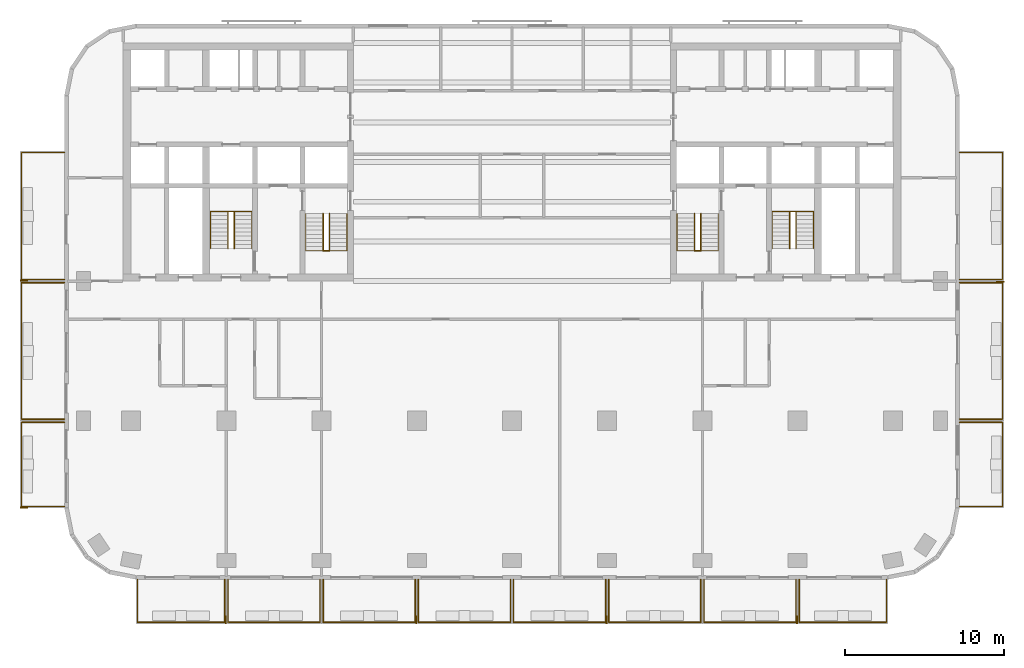
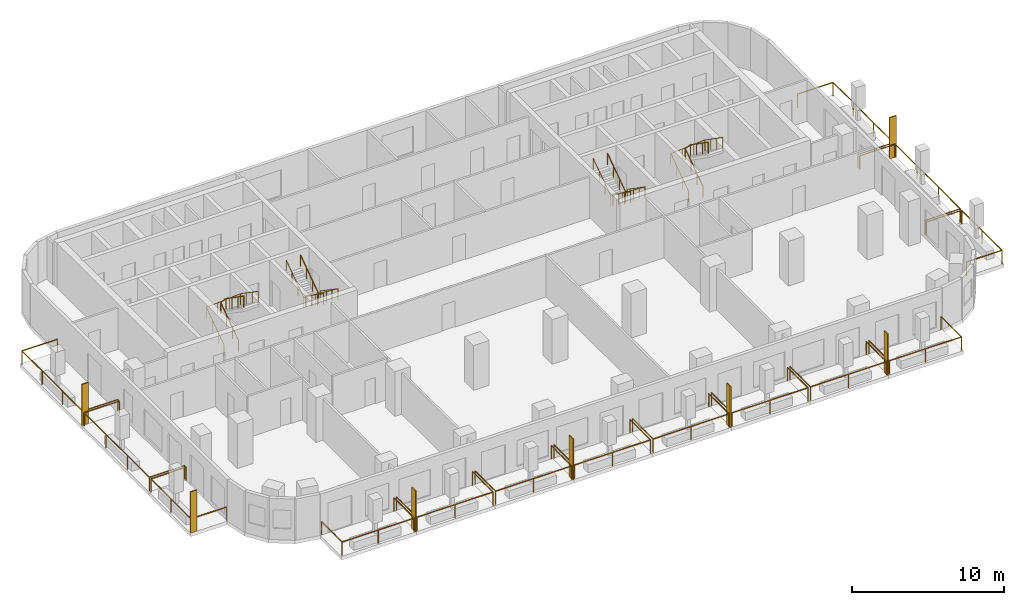
# One storey, part 9 of 11: 22 railings, 7 shading devices.
"""IFC4 building model written with IfcOpenShell, lengths in metres."""

from ifc_helpers import new_model, si_unit, direction, frame, origin, origin_2d, place, context, subcontext, project, spatial, rectangle, circle, extrude, material, layer, layer_set, type_object, element, save


model = new_model("IFC4")

# Units and contexts
model_context = context("Model", 3, precision=1e-05, world=origin(), true_north=direction((0.0, 1.0)))
body_context = subcontext(model_context, "Body", "Model", "MODEL_VIEW")
ifc_project = project(units=[si_unit("LENGTHUNIT", "METRE"), si_unit("AREAUNIT", "SQUARE_METRE"), si_unit("VOLUMEUNIT", "CUBIC_METRE"), si_unit("PLANEANGLEUNIT", "RADIAN"), si_unit("MASSUNIT", "GRAM", prefix="KILO")], contexts=[model_context])

# Site, building, storey
site_placement = place(None, origin())
site = spatial("IfcSite", under=ifc_project, at=site_placement, CompositionType="ELEMENT")
building_placement = place(site_placement, origin())
building = spatial("IfcBuilding", under=site, at=building_placement, Name="Torana Hotel and Residences", CompositionType="ELEMENT")
storey_placement = place(building_placement, frame((0.0, 0.0, 170.39990234375)))
storey = spatial("IfcBuildingStorey", under=building, at=storey_placement, Name="L44", CompositionType="ELEMENT", Elevation=170.39990234375)

# Shading devices
ifc_material_1 = material(Name="Black powder coated aluminium", Category="aluminium")
ifc_layer = layer(ifc_material_1, 0.080078125)
ifc_layer_set = layer_set([ifc_layer], Name="FN1 VERTICAL FIN 500x80")
shading_device_type = type_object("IfcShadingDeviceType", Name="FN1 VERTICAL FIN 500x80", PredefinedType="USERDEFINED", material=ifc_layer_set)
for number, where, z_axis, x_axis, name in (
    (1, (-18.0400390625, -36.35009765625, 0.0), (0.0, 0.0, 1.0), (-1.0, 0.0, 0.0), "Fin 01"),
    (2, (-6.0400390625, -36.35009765625, 0.0), (0.0, 0.0, 1.0), (-1.0, 0.0, 0.0), "Fin 03"),
    (3, (5.9599609375, -36.35009765625, 0.0), (0.0, 0.0, 1.0), (-1.0, 0.0, 0.0), "Fin 05"),
    (4, (17.9599609375, -36.35009765625, 0.0), (0.0, 0.0, 1.0), (-1.0, 0.0, 0.0), "Fin 07"),
    (5, (-30.75, -29.260009765625, 0.0), (0.0, 0.0, 1.0), (0.0, 1.0, 0.0), "Fin 09"),
    (6, (-30.75, -14.9599609375, 0.0), (0.0, 0.0, 1.0), (0.0, 1.0, 0.0), "Fin 11"),
    (7, (30.75, -15.0400390625, 0.0), (0.0, 0.0, 1.0), (0.0, -1.0, 0.0), "Fin 13"),
):
    element("IfcShadingDevice", number, at=place(storey_placement, frame(where, z_axis=z_axis, x_axis=x_axis)), inside=storey, type_object=shading_device_type, Name=name, ObjectType="FIN", PredefinedType="USERDEFINED", context=body_context, shape_type="SweptSolid", body=[
        extrude(rectangle(XDim=0.080078125, YDim=0.5, at=origin_2d()), origin(), (0.0, 0.0, 1.0), 3.320068359375),
    ])

# Railings
ifc_material_2 = material(Name="Laminated glass balustrade with black handrail", Category="glass")
railing_type_1 = type_object("IfcRailingType", Name="GR1 BALCONY GUARD 1100 GLASS", PredefinedType="GUARDRAIL", material=ifc_material_2)
railing_1_placement = place(storey_placement, frame((-18.10009765625, -33.800048828125, 0.0)))
element("IfcRailing", 8, at=railing_1_placement, inside=storey, type_object=railing_type_1, Name="Balcony guard 01", PredefinedType="GUARDRAIL", context=body_context, shape_type="SweptSolid", body=[
    extrude(circle(Radius=0.02392578125, at=origin_2d()), frame((0.0, 0.0, 1.076171875), z_axis=(0.0, -1.0, 0.0), x_axis=(1.0, 0.0, 0.0)), (0.0, 0.0, 1.0), 2.699951171875),
    extrude(circle(Radius=0.02392578125, at=origin_2d()), frame((0.0, -2.699951171875, 1.076171875), z_axis=(-1.0, 0.0, 0.0), x_axis=(0.0, -1.0, 0.0)), (0.0, 0.0, 1.0), 5.5),
    extrude(circle(Radius=0.02392578125, at=origin_2d()), frame((-5.5, -2.699951171875, 1.076171875), z_axis=(0.0, 1.0, 0.0), x_axis=(-1.0, 0.0, 0.0)), (0.0, 0.0, 1.0), 2.699951171875),
    extrude(circle(Radius=0.02099609375, at=origin_2d()), origin(), (0.0, 0.0, 1.0), 1.052001953125),
    extrude(circle(Radius=0.02099609375, at=origin_2d()), frame((0.0, -2.699951171875, 0.0)), (0.0, 0.0, 1.0), 1.052001953125),
    extrude(circle(Radius=0.02099609375, at=origin_2d()), frame((-2.75, -2.699951171875, 0.0)), (0.0, 0.0, 1.0), 1.052001953125),
    extrude(circle(Radius=0.02099609375, at=origin_2d()), frame((-5.5, -2.699951171875, 0.0)), (0.0, 0.0, 1.0), 1.052001953125),
    extrude(circle(Radius=0.02099609375, at=origin_2d()), frame((-5.5, 0.0, 0.0)), (0.0, 0.0, 1.0), 1.052001953125),
])
for number, where, name in (
    (9, (-12.10009765625, -33.800048828125, 0.0), "Balcony guard 02"),
    (10, (-6.10009765625, -33.800048828125, 0.0), "Balcony guard 03"),
    (11, (-0.10009765625, -33.800048828125, 0.0), "Balcony guard 04"),
    (12, (5.89990234375, -33.800048828125, 0.0), "Balcony guard 05"),
    (13, (11.89990234375, -33.800048828125, 0.0), "Balcony guard 06"),
    (14, (17.89990234375, -33.800048828125, 0.0), "Balcony guard 07"),
):
    element("IfcRailing", number, at=place(storey_placement, frame(where)), inside=storey, type_object=railing_type_1, Name=name, PredefinedType="GUARDRAIL", context=body_context, shape_type="SweptSolid", body=[
        extrude(circle(Radius=0.02392578125, at=origin_2d()), frame((0.0, 0.0, 1.076171875), z_axis=(0.0, -1.0, 0.0), x_axis=(1.0, 0.0, 0.0)), (0.0, 0.0, 1.0), 2.699951171875),
        extrude(circle(Radius=0.02392578125, at=origin_2d()), frame((0.0, -2.699951171875, 1.076171875), z_axis=(-1.0, 0.0, 0.0), x_axis=(0.0, -1.0, 0.0)), (0.0, 0.0, 1.0), 5.7998046875),
        extrude(circle(Radius=0.02392578125, at=origin_2d()), frame((-5.7998046875, -2.699951171875, 1.076171875), z_axis=(0.0, 1.0, 0.0), x_axis=(-1.0, 0.0, 0.0)), (0.0, 0.0, 1.0), 2.699951171875),
        extrude(circle(Radius=0.02099609375, at=origin_2d()), origin(), (0.0, 0.0, 1.0), 1.052001953125),
        extrude(circle(Radius=0.02099609375, at=origin_2d()), frame((0.0, -2.699951171875, 0.0)), (0.0, 0.0, 1.0), 1.052001953125),
        extrude(circle(Radius=0.02099609375, at=origin_2d()), frame((-2.89990234375, -2.699951171875, 0.0)), (0.0, 0.0, 1.0), 1.052001953125),
        extrude(circle(Radius=0.02099609375, at=origin_2d()), frame((-5.7998046875, -2.699951171875, 0.0)), (0.0, 0.0, 1.0), 1.052001953125),
        extrude(circle(Radius=0.02099609375, at=origin_2d()), frame((-5.7998046875, 0.0, 0.0)), (0.0, 0.0, 1.0), 1.052001953125),
    ])
railing_2_placement = place(storey_placement, frame((23.60009765625, -33.800048828125, 0.0)))
element("IfcRailing", 15, at=railing_2_placement, inside=storey, type_object=railing_type_1, Name="Balcony guard 08", PredefinedType="GUARDRAIL", context=body_context, shape_type="SweptSolid", body=[
    extrude(circle(Radius=0.02392578125, at=origin_2d()), frame((0.0, 0.0, 1.076171875), z_axis=(0.0, -1.0, 0.0), x_axis=(1.0, 0.0, 0.0)), (0.0, 0.0, 1.0), 2.699951171875),
    extrude(circle(Radius=0.02392578125, at=origin_2d()), frame((0.0, -2.699951171875, 1.076171875), z_axis=(-1.0, 0.0, 0.0), x_axis=(0.0, -1.0, 0.0)), (0.0, 0.0, 1.0), 5.5),
    extrude(circle(Radius=0.02392578125, at=origin_2d()), frame((-5.5, -2.699951171875, 1.076171875), z_axis=(0.0, 1.0, 0.0), x_axis=(-1.0, 0.0, 0.0)), (0.0, 0.0, 1.0), 2.699951171875),
    extrude(circle(Radius=0.02099609375, at=origin_2d()), origin(), (0.0, 0.0, 1.0), 1.052001953125),
    extrude(circle(Radius=0.02099609375, at=origin_2d()), frame((0.0, -2.699951171875, 0.0)), (0.0, 0.0, 1.0), 1.052001953125),
    extrude(circle(Radius=0.02099609375, at=origin_2d()), frame((-2.75, -2.699951171875, 0.0)), (0.0, 0.0, 1.0), 1.052001953125),
    extrude(circle(Radius=0.02099609375, at=origin_2d()), frame((-5.5, -2.699951171875, 0.0)), (0.0, 0.0, 1.0), 1.052001953125),
    extrude(circle(Radius=0.02099609375, at=origin_2d()), frame((-5.5, 0.0, 0.0)), (0.0, 0.0, 1.0), 1.052001953125),
])
railing_3_placement = place(storey_placement, frame((-28.199951171875, -29.199951171875, 0.0)))
element("IfcRailing", 16, at=railing_3_placement, inside=storey, type_object=railing_type_1, Name="Balcony guard 09", PredefinedType="GUARDRAIL", context=body_context, shape_type="SweptSolid", body=[
    extrude(circle(Radius=0.02392578125, at=origin_2d()), frame((0.0, 0.0, 1.076171875), z_axis=(-1.0, 0.0, 0.0), x_axis=(0.0, -1.0, 0.0)), (0.0, 0.0, 1.0), 2.699951171875),
    extrude(circle(Radius=0.02392578125, at=origin_2d()), frame((-2.699951171875, 0.0, 1.076171875), z_axis=(0.0, 1.0, 0.0), x_axis=(-1.0, 0.0, 0.0)), (0.0, 0.0, 1.0), 5.300048828125),
    extrude(circle(Radius=0.02392578125, at=origin_2d()), frame((-2.699951171875, 5.300048828125, 1.076171875), z_axis=(1.0, 0.0, 0.0), x_axis=(0.0, 1.0, 0.0)), (0.0, 0.0, 1.0), 2.699951171875),
    extrude(circle(Radius=0.02099609375, at=origin_2d()), origin(), (0.0, 0.0, 1.0), 1.052001953125),
    extrude(circle(Radius=0.02099609375, at=origin_2d()), frame((-2.699951171875, 0.0, 0.0)), (0.0, 0.0, 1.0), 1.052001953125),
    extrude(circle(Radius=0.02099609375, at=origin_2d()), frame((-2.699951171875, 2.64990234375, 0.0)), (0.0, 0.0, 1.0), 1.052001953125),
    extrude(circle(Radius=0.02099609375, at=origin_2d()), frame((-2.699951171875, 5.300048828125, 0.0)), (0.0, 0.0, 1.0), 1.052001953125),
    extrude(circle(Radius=0.02099609375, at=origin_2d()), frame((0.0, 5.300048828125, 0.0)), (0.0, 0.0, 1.0), 1.052001953125),
])
railing_4_placement = place(storey_placement, frame((-28.199951171875, -23.699951171875, 0.0)))
element("IfcRailing", 17, at=railing_4_placement, inside=storey, type_object=railing_type_1, Name="Balcony guard 10", PredefinedType="GUARDRAIL", context=body_context, shape_type="SweptSolid", body=[
    extrude(circle(Radius=0.02392578125, at=origin_2d()), frame((0.0, 0.0, 1.076171875), z_axis=(-1.0, 0.0, 0.0), x_axis=(0.0, -1.0, 0.0)), (0.0, 0.0, 1.0), 2.699951171875),
    extrude(circle(Radius=0.02392578125, at=origin_2d()), frame((-2.699951171875, 0.0, 1.076171875), z_axis=(0.0, 1.0, 0.0), x_axis=(-1.0, 0.0, 0.0)), (0.0, 0.0, 1.0), 8.599853515625),
    extrude(circle(Radius=0.02392578125, at=origin_2d()), frame((-2.699951171875, 8.599853515625, 1.076171875), z_axis=(1.0, 0.0, 0.0), x_axis=(0.0, 1.0, 0.0)), (0.0, 0.0, 1.0), 2.699951171875),
    extrude(circle(Radius=0.02099609375, at=origin_2d()), origin(), (0.0, 0.0, 1.0), 1.052001953125),
    extrude(circle(Radius=0.02099609375, at=origin_2d()), frame((-2.699951171875, 0.0, 0.0)), (0.0, 0.0, 1.0), 1.052001953125),
    extrude(circle(Radius=0.02099609375, at=origin_2d()), frame((-2.699951171875, 2.86669921875, 0.0)), (0.0, 0.0, 1.0), 1.052001953125),
    extrude(circle(Radius=0.02099609375, at=origin_2d()), frame((-2.699951171875, 5.733154296875, 0.0)), (0.0, 0.0, 1.0), 1.052001953125),
    extrude(circle(Radius=0.02099609375, at=origin_2d()), frame((-2.699951171875, 8.599853515625, 0.0)), (0.0, 0.0, 1.0), 1.052001953125),
    extrude(circle(Radius=0.02099609375, at=origin_2d()), frame((0.0, 8.599853515625, 0.0)), (0.0, 0.0, 1.0), 1.052001953125),
])
railing_5_placement = place(storey_placement, frame((-28.199951171875, -14.89990234375, 0.0)))
element("IfcRailing", 18, at=railing_5_placement, inside=storey, type_object=railing_type_1, Name="Balcony guard 11", PredefinedType="GUARDRAIL", context=body_context, shape_type="SweptSolid", body=[
    extrude(circle(Radius=0.02392578125, at=origin_2d()), frame((0.0, 0.0, 1.076171875), z_axis=(-1.0, 0.0, 0.0), x_axis=(0.0, -1.0, 0.0)), (0.0, 0.0, 1.0), 2.699951171875),
    extrude(circle(Radius=0.02392578125, at=origin_2d()), frame((-2.699951171875, 0.0, 1.076171875), z_axis=(0.0, 1.0, 0.0), x_axis=(-1.0, 0.0, 0.0)), (0.0, 0.0, 1.0), 8.0),
    extrude(circle(Radius=0.02392578125, at=origin_2d()), frame((-2.699951171875, 8.0, 1.076171875), z_axis=(1.0, 0.0, 0.0), x_axis=(0.0, 1.0, 0.0)), (0.0, 0.0, 1.0), 2.699951171875),
    extrude(circle(Radius=0.02099609375, at=origin_2d()), origin(), (0.0, 0.0, 1.0), 1.052001953125),
    extrude(circle(Radius=0.02099609375, at=origin_2d()), frame((-2.699951171875, 0.0, 0.0)), (0.0, 0.0, 1.0), 1.052001953125),
    extrude(circle(Radius=0.02099609375, at=origin_2d()), frame((-2.699951171875, 2.666748046875, 0.0)), (0.0, 0.0, 1.0), 1.052001953125),
    extrude(circle(Radius=0.02099609375, at=origin_2d()), frame((-2.699951171875, 5.333251953125, 0.0)), (0.0, 0.0, 1.0), 1.052001953125),
    extrude(circle(Radius=0.02099609375, at=origin_2d()), frame((-2.699951171875, 8.0, 0.0)), (0.0, 0.0, 1.0), 1.052001953125),
    extrude(circle(Radius=0.02099609375, at=origin_2d()), frame((0.0, 8.0, 0.0)), (0.0, 0.0, 1.0), 1.052001953125),
])
railing_6_placement = place(storey_placement, frame((28.199951171875, -23.89990234375, 0.0)))
element("IfcRailing", 19, at=railing_6_placement, inside=storey, type_object=railing_type_1, Name="Balcony guard 12", PredefinedType="GUARDRAIL", context=body_context, shape_type="SweptSolid", body=[
    extrude(circle(Radius=0.02392578125, at=origin_2d()), frame((0.0, 0.0, 1.076171875), z_axis=(1.0, 0.0, 0.0), x_axis=(0.0, 1.0, 0.0)), (0.0, 0.0, 1.0), 2.699951171875),
    extrude(circle(Radius=0.02392578125, at=origin_2d()), frame((2.699951171875, 0.0, 1.076171875), z_axis=(0.0, -1.0, 0.0), x_axis=(1.0, 0.0, 0.0)), (0.0, 0.0, 1.0), 5.300048828125),
    extrude(circle(Radius=0.02392578125, at=origin_2d()), frame((2.699951171875, -5.300048828125, 1.076171875), z_axis=(-1.0, 0.0, 0.0), x_axis=(0.0, -1.0, 0.0)), (0.0, 0.0, 1.0), 2.699951171875),
    extrude(circle(Radius=0.02099609375, at=origin_2d()), origin(), (0.0, 0.0, 1.0), 1.052001953125),
    extrude(circle(Radius=0.02099609375, at=origin_2d()), frame((2.699951171875, 0.0, 0.0)), (0.0, 0.0, 1.0), 1.052001953125),
    extrude(circle(Radius=0.02099609375, at=origin_2d()), frame((2.699951171875, -2.64990234375, 0.0)), (0.0, 0.0, 1.0), 1.052001953125),
    extrude(circle(Radius=0.02099609375, at=origin_2d()), frame((2.699951171875, -5.300048828125, 0.0)), (0.0, 0.0, 1.0), 1.052001953125),
    extrude(circle(Radius=0.02099609375, at=origin_2d()), frame((0.0, -5.300048828125, 0.0)), (0.0, 0.0, 1.0), 1.052001953125),
])
railing_7_placement = place(storey_placement, frame((28.199951171875, -15.10009765625, 0.0)))
element("IfcRailing", 20, at=railing_7_placement, inside=storey, type_object=railing_type_1, Name="Balcony guard 13", PredefinedType="GUARDRAIL", context=body_context, shape_type="SweptSolid", body=[
    extrude(circle(Radius=0.02392578125, at=origin_2d()), frame((0.0, 0.0, 1.076171875), z_axis=(1.0, 0.0, 0.0), x_axis=(0.0, 1.0, 0.0)), (0.0, 0.0, 1.0), 2.699951171875),
    extrude(circle(Radius=0.02392578125, at=origin_2d()), frame((2.699951171875, 0.0, 1.076171875), z_axis=(0.0, -1.0, 0.0), x_axis=(1.0, 0.0, 0.0)), (0.0, 0.0, 1.0), 8.599853515625),
    extrude(circle(Radius=0.02392578125, at=origin_2d()), frame((2.699951171875, -8.599853515625, 1.076171875), z_axis=(-1.0, 0.0, 0.0), x_axis=(0.0, -1.0, 0.0)), (0.0, 0.0, 1.0), 2.699951171875),
    extrude(circle(Radius=0.02099609375, at=origin_2d()), origin(), (0.0, 0.0, 1.0), 1.052001953125),
    extrude(circle(Radius=0.02099609375, at=origin_2d()), frame((2.699951171875, 0.0, 0.0)), (0.0, 0.0, 1.0), 1.052001953125),
    extrude(circle(Radius=0.02099609375, at=origin_2d()), frame((2.699951171875, -2.86669921875, 0.0)), (0.0, 0.0, 1.0), 1.052001953125),
    extrude(circle(Radius=0.02099609375, at=origin_2d()), frame((2.699951171875, -5.733154296875, 0.0)), (0.0, 0.0, 1.0), 1.052001953125),
    extrude(circle(Radius=0.02099609375, at=origin_2d()), frame((2.699951171875, -8.599853515625, 0.0)), (0.0, 0.0, 1.0), 1.052001953125),
    extrude(circle(Radius=0.02099609375, at=origin_2d()), frame((0.0, -8.599853515625, 0.0)), (0.0, 0.0, 1.0), 1.052001953125),
])
railing_8_placement = place(storey_placement, frame((28.199951171875, -6.89990234375, 0.0)))
element("IfcRailing", 21, at=railing_8_placement, inside=storey, type_object=railing_type_1, Name="Balcony guard 14", PredefinedType="GUARDRAIL", context=body_context, shape_type="SweptSolid", body=[
    extrude(circle(Radius=0.02392578125, at=origin_2d()), frame((0.0, 0.0, 1.076171875), z_axis=(1.0, 0.0, 0.0), x_axis=(0.0, 1.0, 0.0)), (0.0, 0.0, 1.0), 2.699951171875),
    extrude(circle(Radius=0.02392578125, at=origin_2d()), frame((2.699951171875, 0.0, 1.076171875), z_axis=(0.0, -1.0, 0.0), x_axis=(1.0, 0.0, 0.0)), (0.0, 0.0, 1.0), 8.0),
    extrude(circle(Radius=0.02392578125, at=origin_2d()), frame((2.699951171875, -8.0, 1.076171875), z_axis=(-1.0, 0.0, 0.0), x_axis=(0.0, -1.0, 0.0)), (0.0, 0.0, 1.0), 2.699951171875),
    extrude(circle(Radius=0.02099609375, at=origin_2d()), origin(), (0.0, 0.0, 1.0), 1.052001953125),
    extrude(circle(Radius=0.02099609375, at=origin_2d()), frame((2.699951171875, 0.0, 0.0)), (0.0, 0.0, 1.0), 1.052001953125),
    extrude(circle(Radius=0.02099609375, at=origin_2d()), frame((2.699951171875, -2.666748046875, 0.0)), (0.0, 0.0, 1.0), 1.052001953125),
    extrude(circle(Radius=0.02099609375, at=origin_2d()), frame((2.699951171875, -5.333251953125, 0.0)), (0.0, 0.0, 1.0), 1.052001953125),
    extrude(circle(Radius=0.02099609375, at=origin_2d()), frame((2.699951171875, -8.0, 0.0)), (0.0, 0.0, 1.0), 1.052001953125),
    extrude(circle(Radius=0.02099609375, at=origin_2d()), frame((0.0, -8.0, 0.0)), (0.0, 0.0, 1.0), 1.052001953125),
])
ifc_material_3 = material(Name="Stainless steel 316", Category="steel")
railing_type_2 = type_object("IfcRailingType", Name="STAIR HANDRAIL HR1 900", PredefinedType="HANDRAIL", material=ifc_material_3)
railing_9_placement = place(storey_placement, frame((-10.39990234375, -10.75, 0.18017578125)))
element("IfcRailing", 22, at=railing_9_placement, inside=storey, type_object=railing_type_2, Name="Handrail ST1 L44 O1", PredefinedType="HANDRAIL", context=body_context, shape_type="SweptSolid", body=[
    extrude(circle(Radius=0.02392578125, at=origin_2d()), frame((0.0, 0.0, 0.8759765625), z_axis=(0.0, -0.822223072051, 0.569165371211), x_axis=(1.0, 0.0, 0.0)), (0.0, 0.0, 1.0), 2.845947265625),
    extrude(circle(Radius=0.02392578125, at=origin_2d()), frame((0.0, -2.340087890625, 2.49560546875), z_axis=(-0.997614115953, 0.0, 0.069036770278), x_axis=(0.0, -1.0, 0.0)), (0.0, 0.0, 1.0), 2.606201171875),
    extrude(circle(Radius=0.02392578125, at=origin_2d()), frame((-2.60009765625, -2.340087890625, 2.67578125), z_axis=(0.0, 0.822182927502, 0.569223360136), x_axis=(-1.0, 0.0, 0.0)), (0.0, 0.0, 1.0), 2.84619140625),
    extrude(circle(Radius=0.02099609375, at=origin_2d()), origin(), (0.0, 0.0, 1.0), 0.851806640625),
    extrude(circle(Radius=0.02099609375, at=origin_2d()), frame((0.0, -0.780029296875, 0.5400390625)), (0.0, 0.0, 1.0), 0.851806640625),
    extrude(circle(Radius=0.02099609375, at=origin_2d()), frame((0.0, -1.56005859375, 1.079833984375)), (0.0, 0.0, 1.0), 0.851806640625),
    extrude(circle(Radius=0.02099609375, at=origin_2d()), frame((0.0, -2.340087890625, 1.619873046875)), (0.0, 0.0, 1.0), 0.851806640625),
    extrude(circle(Radius=0.02099609375, at=origin_2d()), frame((-0.86669921875, -2.340087890625, 1.679931640625)), (0.0, 0.0, 1.0), 0.851806640625),
    extrude(circle(Radius=0.02099609375, at=origin_2d()), frame((-1.7333984375, -2.340087890625, 1.73974609375)), (0.0, 0.0, 1.0), 0.851806640625),
    extrude(circle(Radius=0.02099609375, at=origin_2d()), frame((-2.60009765625, -2.340087890625, 1.7998046875)), (0.0, 0.0, 1.0), 0.851806640625),
    extrude(circle(Radius=0.02099609375, at=origin_2d()), frame((-2.60009765625, -1.56005859375, 2.33984375)), (0.0, 0.0, 1.0), 0.851806640625),
    extrude(circle(Radius=0.02099609375, at=origin_2d()), frame((-2.60009765625, -0.780029296875, 2.8798828125)), (0.0, 0.0, 1.0), 0.851806640625),
    extrude(circle(Radius=0.02099609375, at=origin_2d()), frame((-2.60009765625, 0.0, 3.419921875)), (0.0, 0.0, 1.0), 0.851806640625),
])
railing_10_placement = place(storey_placement, frame((-11.5, -10.75, 0.18017578125)))
element("IfcRailing", 23, at=railing_10_placement, inside=storey, type_object=railing_type_2, Name="Handrail ST1 L44 I1", PredefinedType="HANDRAIL", context=body_context, shape_type="SweptSolid", body=[
    extrude(circle(Radius=0.02392578125, at=origin_2d()), frame((0.0, 0.0, 0.8759765625), z_axis=(0.0, -0.822223072051, 0.569165371211), x_axis=(1.0, 0.0, 0.0)), (0.0, 0.0, 1.0), 2.845947265625),
    extrude(circle(Radius=0.02392578125, at=origin_2d()), frame((0.0, -2.340087890625, 2.49560546875), z_axis=(-0.911942338396, 0.0, 0.410318378143), x_axis=(0.0, -1.0, 0.0)), (0.0, 0.0, 1.0), 0.4384765625),
    extrude(circle(Radius=0.02392578125, at=origin_2d()), frame((-0.39990234375, -2.340087890625, 2.67578125), z_axis=(0.0, 0.822182927502, 0.569223360136), x_axis=(-1.0, 0.0, 0.0)), (0.0, 0.0, 1.0), 2.84619140625),
    extrude(circle(Radius=0.02099609375, at=origin_2d()), origin(), (0.0, 0.0, 1.0), 0.851806640625),
    extrude(circle(Radius=0.02099609375, at=origin_2d()), frame((0.0, -0.780029296875, 0.5400390625)), (0.0, 0.0, 1.0), 0.851806640625),
    extrude(circle(Radius=0.02099609375, at=origin_2d()), frame((0.0, -1.56005859375, 1.079833984375)), (0.0, 0.0, 1.0), 0.851806640625),
    extrude(circle(Radius=0.02099609375, at=origin_2d()), frame((0.0, -2.340087890625, 1.619873046875)), (0.0, 0.0, 1.0), 0.851806640625),
    extrude(circle(Radius=0.02099609375, at=origin_2d()), frame((-0.39990234375, -2.340087890625, 1.7998046875)), (0.0, 0.0, 1.0), 0.851806640625),
    extrude(circle(Radius=0.02099609375, at=origin_2d()), frame((-0.39990234375, -1.56005859375, 2.33984375)), (0.0, 0.0, 1.0), 0.851806640625),
    extrude(circle(Radius=0.02099609375, at=origin_2d()), frame((-0.39990234375, -0.780029296875, 2.8798828125)), (0.0, 0.0, 1.0), 0.851806640625),
    extrude(circle(Radius=0.02099609375, at=origin_2d()), frame((-0.39990234375, 0.0, 3.419921875)), (0.0, 0.0, 1.0), 0.851806640625),
])
railing_11_placement = place(storey_placement, frame((-19.0, -12.949951171875, 0.18017578125)))
element("IfcRailing", 24, at=railing_11_placement, inside=storey, type_object=railing_type_2, Name="Handrail ST2 L44 O1", PredefinedType="HANDRAIL", context=body_context, shape_type="SweptSolid", body=[
    extrude(circle(Radius=0.02392578125, at=origin_2d()), frame((0.0, 0.0, 0.8759765625), z_axis=(0.0, 0.822195280011, 0.569205517829), x_axis=(-1.0, 0.0, 0.0)), (0.0, 0.0, 1.0), 2.845947265625),
    extrude(circle(Radius=0.02392578125, at=origin_2d()), frame((0.0, 2.33984375, 2.49560546875), z_axis=(0.997614115953, 0.0, 0.069036770278), x_axis=(0.0, 1.0, 0.0)), (0.0, 0.0, 1.0), 2.606201171875),
    extrude(circle(Radius=0.02392578125, at=origin_2d()), frame((2.60009765625, 2.33984375, 2.67578125), z_axis=(0.0, -0.822155131156, 0.569263506923), x_axis=(1.0, 0.0, 0.0)), (0.0, 0.0, 1.0), 2.845947265625),
    extrude(circle(Radius=0.02099609375, at=origin_2d()), origin(), (0.0, 0.0, 1.0), 0.851806640625),
    extrude(circle(Radius=0.02099609375, at=origin_2d()), frame((0.0, 0.780029296875, 0.5400390625)), (0.0, 0.0, 1.0), 0.851806640625),
    extrude(circle(Radius=0.02099609375, at=origin_2d()), frame((0.0, 1.559814453125, 1.079833984375)), (0.0, 0.0, 1.0), 0.851806640625),
    extrude(circle(Radius=0.02099609375, at=origin_2d()), frame((0.0, 2.33984375, 1.619873046875)), (0.0, 0.0, 1.0), 0.851806640625),
    extrude(circle(Radius=0.02099609375, at=origin_2d()), frame((0.86669921875, 2.33984375, 1.679931640625)), (0.0, 0.0, 1.0), 0.851806640625),
    extrude(circle(Radius=0.02099609375, at=origin_2d()), frame((1.7333984375, 2.33984375, 1.73974609375)), (0.0, 0.0, 1.0), 0.851806640625),
    extrude(circle(Radius=0.02099609375, at=origin_2d()), frame((2.60009765625, 2.33984375, 1.7998046875)), (0.0, 0.0, 1.0), 0.851806640625),
    extrude(circle(Radius=0.02099609375, at=origin_2d()), frame((2.60009765625, 1.559814453125, 2.33984375)), (0.0, 0.0, 1.0), 0.851806640625),
    extrude(circle(Radius=0.02099609375, at=origin_2d()), frame((2.60009765625, 0.780029296875, 2.8798828125)), (0.0, 0.0, 1.0), 0.851806640625),
    extrude(circle(Radius=0.02099609375, at=origin_2d()), frame((2.60009765625, 0.0, 3.419921875)), (0.0, 0.0, 1.0), 0.851806640625),
])
railing_12_placement = place(storey_placement, frame((-17.89990234375, -12.949951171875, 0.18017578125)))
element("IfcRailing", 25, at=railing_12_placement, inside=storey, type_object=railing_type_2, Name="Handrail ST2 L44 I1", PredefinedType="HANDRAIL", context=body_context, shape_type="SweptSolid", body=[
    extrude(circle(Radius=0.02392578125, at=origin_2d()), frame((0.0, 0.0, 0.8759765625), z_axis=(0.0, 0.822195280011, 0.569205517829), x_axis=(-1.0, 0.0, 0.0)), (0.0, 0.0, 1.0), 2.845947265625),
    extrude(circle(Radius=0.02392578125, at=origin_2d()), frame((0.0, 2.33984375, 2.49560546875), z_axis=(0.911942338396, 0.0, 0.410318378143), x_axis=(0.0, 1.0, 0.0)), (0.0, 0.0, 1.0), 0.4384765625),
    extrude(circle(Radius=0.02392578125, at=origin_2d()), frame((0.39990234375, 2.33984375, 2.67578125), z_axis=(0.0, -0.822155131156, 0.569263506923), x_axis=(1.0, 0.0, 0.0)), (0.0, 0.0, 1.0), 2.845947265625),
    extrude(circle(Radius=0.02099609375, at=origin_2d()), origin(), (0.0, 0.0, 1.0), 0.851806640625),
    extrude(circle(Radius=0.02099609375, at=origin_2d()), frame((0.0, 0.780029296875, 0.5400390625)), (0.0, 0.0, 1.0), 0.851806640625),
    extrude(circle(Radius=0.02099609375, at=origin_2d()), frame((0.0, 1.559814453125, 1.079833984375)), (0.0, 0.0, 1.0), 0.851806640625),
    extrude(circle(Radius=0.02099609375, at=origin_2d()), frame((0.0, 2.33984375, 1.619873046875)), (0.0, 0.0, 1.0), 0.851806640625),
    extrude(circle(Radius=0.02099609375, at=origin_2d()), frame((0.39990234375, 2.33984375, 1.7998046875)), (0.0, 0.0, 1.0), 0.851806640625),
    extrude(circle(Radius=0.02099609375, at=origin_2d()), frame((0.39990234375, 1.559814453125, 2.33984375)), (0.0, 0.0, 1.0), 0.851806640625),
    extrude(circle(Radius=0.02099609375, at=origin_2d()), frame((0.39990234375, 0.780029296875, 2.8798828125)), (0.0, 0.0, 1.0), 0.851806640625),
    extrude(circle(Radius=0.02099609375, at=origin_2d()), frame((0.39990234375, 0.0, 3.419921875)), (0.0, 0.0, 1.0), 0.851806640625),
])
railing_13_placement = place(storey_placement, frame((13.0, -10.75, 0.18017578125)))
element("IfcRailing", 26, at=railing_13_placement, inside=storey, type_object=railing_type_2, Name="Handrail ST3 L44 O1", PredefinedType="HANDRAIL", context=body_context, shape_type="SweptSolid", body=[
    extrude(circle(Radius=0.02392578125, at=origin_2d()), frame((0.0, 0.0, 0.8759765625), z_axis=(0.0, -0.822223072051, 0.569165371211), x_axis=(1.0, 0.0, 0.0)), (0.0, 0.0, 1.0), 2.845947265625),
    extrude(circle(Radius=0.02392578125, at=origin_2d()), frame((0.0, -2.340087890625, 2.49560546875), z_axis=(-0.997614115953, 0.0, 0.069036770278), x_axis=(0.0, -1.0, 0.0)), (0.0, 0.0, 1.0), 2.606201171875),
    extrude(circle(Radius=0.02392578125, at=origin_2d()), frame((-2.60009765625, -2.340087890625, 2.67578125), z_axis=(0.0, 0.822182927502, 0.569223360136), x_axis=(-1.0, 0.0, 0.0)), (0.0, 0.0, 1.0), 2.84619140625),
    extrude(circle(Radius=0.02099609375, at=origin_2d()), origin(), (0.0, 0.0, 1.0), 0.851806640625),
    extrude(circle(Radius=0.02099609375, at=origin_2d()), frame((0.0, -0.780029296875, 0.5400390625)), (0.0, 0.0, 1.0), 0.851806640625),
    extrude(circle(Radius=0.02099609375, at=origin_2d()), frame((0.0, -1.56005859375, 1.079833984375)), (0.0, 0.0, 1.0), 0.851806640625),
    extrude(circle(Radius=0.02099609375, at=origin_2d()), frame((0.0, -2.340087890625, 1.619873046875)), (0.0, 0.0, 1.0), 0.851806640625),
    extrude(circle(Radius=0.02099609375, at=origin_2d()), frame((-0.86669921875, -2.340087890625, 1.679931640625)), (0.0, 0.0, 1.0), 0.851806640625),
    extrude(circle(Radius=0.02099609375, at=origin_2d()), frame((-1.7333984375, -2.340087890625, 1.73974609375)), (0.0, 0.0, 1.0), 0.851806640625),
    extrude(circle(Radius=0.02099609375, at=origin_2d()), frame((-2.60009765625, -2.340087890625, 1.7998046875)), (0.0, 0.0, 1.0), 0.851806640625),
    extrude(circle(Radius=0.02099609375, at=origin_2d()), frame((-2.60009765625, -1.56005859375, 2.33984375)), (0.0, 0.0, 1.0), 0.851806640625),
    extrude(circle(Radius=0.02099609375, at=origin_2d()), frame((-2.60009765625, -0.780029296875, 2.8798828125)), (0.0, 0.0, 1.0), 0.851806640625),
    extrude(circle(Radius=0.02099609375, at=origin_2d()), frame((-2.60009765625, 0.0, 3.419921875)), (0.0, 0.0, 1.0), 0.851806640625),
])
railing_14_placement = place(storey_placement, frame((11.89990234375, -10.75, 0.18017578125)))
element("IfcRailing", 27, at=railing_14_placement, inside=storey, type_object=railing_type_2, Name="Handrail ST3 L44 I1", PredefinedType="HANDRAIL", context=body_context, shape_type="SweptSolid", body=[
    extrude(circle(Radius=0.02392578125, at=origin_2d()), frame((0.0, 0.0, 0.8759765625), z_axis=(0.0, -0.822223072051, 0.569165371211), x_axis=(1.0, 0.0, 0.0)), (0.0, 0.0, 1.0), 2.845947265625),
    extrude(circle(Radius=0.02392578125, at=origin_2d()), frame((0.0, -2.340087890625, 2.49560546875), z_axis=(-0.911942338396, 0.0, 0.410318378143), x_axis=(0.0, -1.0, 0.0)), (0.0, 0.0, 1.0), 0.4384765625),
    extrude(circle(Radius=0.02392578125, at=origin_2d()), frame((-0.39990234375, -2.340087890625, 2.67578125), z_axis=(0.0, 0.822182927502, 0.569223360136), x_axis=(-1.0, 0.0, 0.0)), (0.0, 0.0, 1.0), 2.84619140625),
    extrude(circle(Radius=0.02099609375, at=origin_2d()), origin(), (0.0, 0.0, 1.0), 0.851806640625),
    extrude(circle(Radius=0.02099609375, at=origin_2d()), frame((0.0, -0.780029296875, 0.5400390625)), (0.0, 0.0, 1.0), 0.851806640625),
    extrude(circle(Radius=0.02099609375, at=origin_2d()), frame((0.0, -1.56005859375, 1.079833984375)), (0.0, 0.0, 1.0), 0.851806640625),
    extrude(circle(Radius=0.02099609375, at=origin_2d()), frame((0.0, -2.340087890625, 1.619873046875)), (0.0, 0.0, 1.0), 0.851806640625),
    extrude(circle(Radius=0.02099609375, at=origin_2d()), frame((-0.39990234375, -2.340087890625, 1.7998046875)), (0.0, 0.0, 1.0), 0.851806640625),
    extrude(circle(Radius=0.02099609375, at=origin_2d()), frame((-0.39990234375, -1.56005859375, 2.33984375)), (0.0, 0.0, 1.0), 0.851806640625),
    extrude(circle(Radius=0.02099609375, at=origin_2d()), frame((-0.39990234375, -0.780029296875, 2.8798828125)), (0.0, 0.0, 1.0), 0.851806640625),
    extrude(circle(Radius=0.02099609375, at=origin_2d()), frame((-0.39990234375, 0.0, 3.419921875)), (0.0, 0.0, 1.0), 0.851806640625),
])
railing_15_placement = place(storey_placement, frame((16.39990234375, -12.949951171875, 0.18017578125)))
element("IfcRailing", 28, at=railing_15_placement, inside=storey, type_object=railing_type_2, Name="Handrail ST4 L44 O1", PredefinedType="HANDRAIL", context=body_context, shape_type="SweptSolid", body=[
    extrude(circle(Radius=0.02392578125, at=origin_2d()), frame((0.0, 0.0, 0.8759765625), z_axis=(0.0, 0.822195280011, 0.569205517829), x_axis=(-1.0, 0.0, 0.0)), (0.0, 0.0, 1.0), 2.845947265625),
    extrude(circle(Radius=0.02392578125, at=origin_2d()), frame((0.0, 2.33984375, 2.49560546875), z_axis=(0.997614115953, 0.0, 0.069036770278), x_axis=(0.0, 1.0, 0.0)), (0.0, 0.0, 1.0), 2.606201171875),
    extrude(circle(Radius=0.02392578125, at=origin_2d()), frame((2.60009765625, 2.33984375, 2.67578125), z_axis=(0.0, -0.822155131156, 0.569263506923), x_axis=(1.0, 0.0, 0.0)), (0.0, 0.0, 1.0), 2.845947265625),
    extrude(circle(Radius=0.02099609375, at=origin_2d()), origin(), (0.0, 0.0, 1.0), 0.851806640625),
    extrude(circle(Radius=0.02099609375, at=origin_2d()), frame((0.0, 0.780029296875, 0.5400390625)), (0.0, 0.0, 1.0), 0.851806640625),
    extrude(circle(Radius=0.02099609375, at=origin_2d()), frame((0.0, 1.559814453125, 1.079833984375)), (0.0, 0.0, 1.0), 0.851806640625),
    extrude(circle(Radius=0.02099609375, at=origin_2d()), frame((0.0, 2.33984375, 1.619873046875)), (0.0, 0.0, 1.0), 0.851806640625),
    extrude(circle(Radius=0.02099609375, at=origin_2d()), frame((0.86669921875, 2.33984375, 1.679931640625)), (0.0, 0.0, 1.0), 0.851806640625),
    extrude(circle(Radius=0.02099609375, at=origin_2d()), frame((1.7333984375, 2.33984375, 1.73974609375)), (0.0, 0.0, 1.0), 0.851806640625),
    extrude(circle(Radius=0.02099609375, at=origin_2d()), frame((2.60009765625, 2.33984375, 1.7998046875)), (0.0, 0.0, 1.0), 0.851806640625),
    extrude(circle(Radius=0.02099609375, at=origin_2d()), frame((2.60009765625, 1.559814453125, 2.33984375)), (0.0, 0.0, 1.0), 0.851806640625),
    extrude(circle(Radius=0.02099609375, at=origin_2d()), frame((2.60009765625, 0.780029296875, 2.8798828125)), (0.0, 0.0, 1.0), 0.851806640625),
    extrude(circle(Radius=0.02099609375, at=origin_2d()), frame((2.60009765625, 0.0, 3.419921875)), (0.0, 0.0, 1.0), 0.851806640625),
])
railing_16_placement = place(storey_placement, frame((17.5, -12.949951171875, 0.18017578125)))
element("IfcRailing", 29, at=railing_16_placement, inside=storey, type_object=railing_type_2, Name="Handrail ST4 L44 I1", PredefinedType="HANDRAIL", context=body_context, shape_type="SweptSolid", body=[
    extrude(circle(Radius=0.02392578125, at=origin_2d()), frame((0.0, 0.0, 0.8759765625), z_axis=(0.0, 0.822195280011, 0.569205517829), x_axis=(-1.0, 0.0, 0.0)), (0.0, 0.0, 1.0), 2.845947265625),
    extrude(circle(Radius=0.02392578125, at=origin_2d()), frame((0.0, 2.33984375, 2.49560546875), z_axis=(0.911942338396, 0.0, 0.410318378143), x_axis=(0.0, 1.0, 0.0)), (0.0, 0.0, 1.0), 0.4384765625),
    extrude(circle(Radius=0.02392578125, at=origin_2d()), frame((0.39990234375, 2.33984375, 2.67578125), z_axis=(0.0, -0.822155131156, 0.569263506923), x_axis=(1.0, 0.0, 0.0)), (0.0, 0.0, 1.0), 2.845947265625),
    extrude(circle(Radius=0.02099609375, at=origin_2d()), origin(), (0.0, 0.0, 1.0), 0.851806640625),
    extrude(circle(Radius=0.02099609375, at=origin_2d()), frame((0.0, 0.780029296875, 0.5400390625)), (0.0, 0.0, 1.0), 0.851806640625),
    extrude(circle(Radius=0.02099609375, at=origin_2d()), frame((0.0, 1.559814453125, 1.079833984375)), (0.0, 0.0, 1.0), 0.851806640625),
    extrude(circle(Radius=0.02099609375, at=origin_2d()), frame((0.0, 2.33984375, 1.619873046875)), (0.0, 0.0, 1.0), 0.851806640625),
    extrude(circle(Radius=0.02099609375, at=origin_2d()), frame((0.39990234375, 2.33984375, 1.7998046875)), (0.0, 0.0, 1.0), 0.851806640625),
    extrude(circle(Radius=0.02099609375, at=origin_2d()), frame((0.39990234375, 1.559814453125, 2.33984375)), (0.0, 0.0, 1.0), 0.851806640625),
    extrude(circle(Radius=0.02099609375, at=origin_2d()), frame((0.39990234375, 0.780029296875, 2.8798828125)), (0.0, 0.0, 1.0), 0.851806640625),
    extrude(circle(Radius=0.02099609375, at=origin_2d()), frame((0.39990234375, 0.0, 3.419921875)), (0.0, 0.0, 1.0), 0.851806640625),
])

save(model, "model.ifc")
